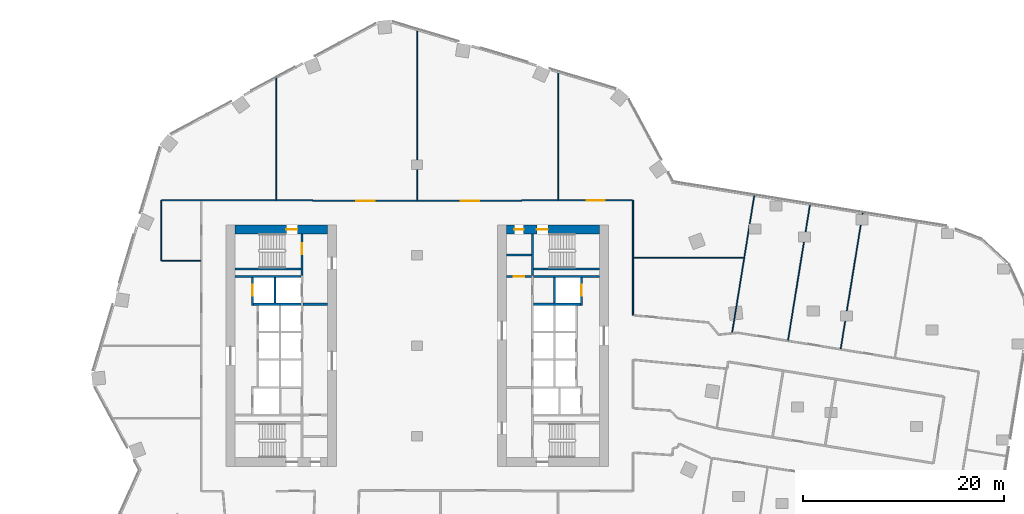
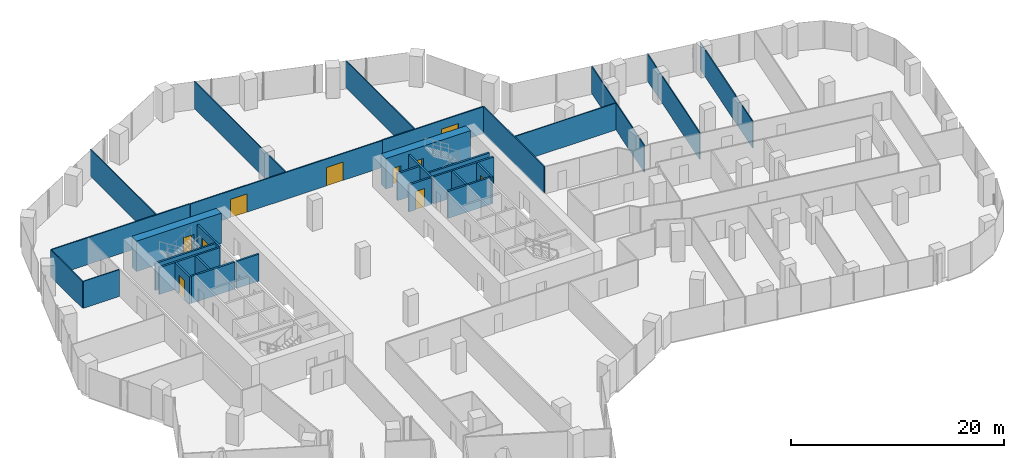
# One storey, part 29 of 34: 30 walls, 10 doors, 10 openings.
"""IFC4 building model written with IfcOpenShell, lengths in metres."""

from ifc_helpers import new_model, si_unit, direction, frame, frame_2d, origin, place, context, subcontext, project, spatial, rectangle, extrude, material, layer, layer_set, type_object, element, fill, save


model = new_model("IFC4")

# Units and contexts
model_context = context("Model", 3, precision=1e-05, world=origin(), true_north=direction((0.0, 1.0)))
body_context = subcontext(model_context, "Body", "Model", "MODEL_VIEW")
ifc_project = project(units=[si_unit("LENGTHUNIT", "METRE"), si_unit("AREAUNIT", "SQUARE_METRE"), si_unit("VOLUMEUNIT", "CUBIC_METRE"), si_unit("PLANEANGLEUNIT", "RADIAN"), si_unit("MASSUNIT", "GRAM", prefix="KILO")], contexts=[model_context])

# Site, building, storey
site_placement = place(None, origin())
site = spatial("IfcSite", under=ifc_project, at=site_placement, CompositionType="ELEMENT")
building_placement = place(site_placement, origin())
building = spatial("IfcBuilding", under=site, at=building_placement, Name="Orlundy Tower", CompositionType="ELEMENT")
storey_placement = place(building_placement, frame((0.0, 0.0, 130.699951171875)))
storey = spatial("IfcBuildingStorey", under=building, at=storey_placement, Name="L33", CompositionType="ELEMENT", Elevation=130.699951171875)

# Wall, opening, door
ifc_material_1 = material(Name="Concrete C80/95", Category="concrete")
ifc_layer_1 = layer(ifc_material_1, 0.89990234375)
ifc_layer_set_1 = layer_set([ifc_layer_1], Name="CORE WALL 900 C80/95")
wall_type_1 = type_object("IfcWallType", Name="CORE WALL 900 C80/95", PredefinedType="SHEAR", material=ifc_layer_set_1)
wall_1_placement = place(storey_placement, frame((-18.10009765625, 11.550048828125, 0.0), z_axis=(0.0, 0.0, 1.0), x_axis=(1.0, 0.0, 0.0)))
wall_1 = element("IfcWall", 1, at=wall_1_placement, inside=storey, type_object=wall_type_1, Name="Core wall W-N L33", PredefinedType="SHEAR", context=body_context, shape_type="SweptSolid", body=[
    extrude(rectangle(XDim=9.2001953125, YDim=0.89990234375, at=frame_2d((4.60009765625, 0.0))), origin(), (0.0, 0.0, 1.0), 3.5),
])
opening_1_placement = place(wall_1_placement, frame((5.10009765625, 0.0, 0.0)))
opening_1 = element("IfcOpeningElement", 2, at=opening_1_placement, cuts=wall_1, Name="Opening 25012", PredefinedType="OPENING", context=body_context, shape_type="SweptSolid", body=[
    extrude(rectangle(XDim=1.10009765625, YDim=2.10009765625, at=frame_2d((0.550048828125, 1.050048828125))), frame((0.0, 0.4599609375, 0.0), z_axis=(0.0, -1.0, 0.0), x_axis=(1.0, 0.0, 0.0)), (0.0, 0.0, 1.0), 0.919921875),
])
ifc_material_2 = material(Name="Steel door set", Category="steel")
door_type_1 = type_object("IfcDoorType", Name="Stair Door 1100x2100", OperationType="SINGLE_SWING_LEFT", PredefinedType="DOOR", material=ifc_material_2)
door_1_placement = place(opening_1_placement, origin())
door_1 = element("IfcDoor", 3, at=door_1_placement, inside=storey, type_object=door_type_1, Name="Stair door 25012", OperationType="SINGLE_SWING_RIGHT", OverallHeight=2.10009765625, OverallWidth=1.10009765625, PredefinedType="DOOR", context=body_context, shape_type="SweptSolid", body=[
    extrude(rectangle(XDim=1.10009765625, YDim=2.10009765625, at=frame_2d((0.550048828125, 1.050048828125))), frame((0.0, 0.02490234375, 0.0), z_axis=(0.0, -1.0, 0.0), x_axis=(1.0, 0.0, 0.0)), (0.0, 0.0, 1.0), 0.050048828125),
])
fill(opening_1, door_1)

# Wall, openings, doors
wall_2_placement = place(storey_placement, frame((8.89990234375, 11.550048828125, 0.0), z_axis=(0.0, 0.0, 1.0), x_axis=(1.0, 0.0, 0.0)))
wall_2 = element("IfcWall", 4, at=wall_2_placement, inside=storey, type_object=wall_type_1, Name="Core wall E-N L33", PredefinedType="SHEAR", context=body_context, shape_type="SweptSolid", body=[
    extrude(rectangle(XDim=9.2001953125, YDim=0.89990234375, at=frame_2d((4.60009765625, 0.0))), origin(), (0.0, 0.0, 1.0), 3.5),
])
opening_2_placement = place(wall_2_placement, frame((3.0, 0.0, 0.0)))
opening_2 = element("IfcOpeningElement", 5, at=opening_2_placement, cuts=wall_2, Name="Opening 25062", PredefinedType="OPENING", context=body_context, shape_type="SweptSolid", body=[
    extrude(rectangle(XDim=1.10009765625, YDim=2.10009765625, at=frame_2d((0.550048828125, 1.050048828125))), frame((0.0, 0.4599609375, 0.0), z_axis=(0.0, -1.0, 0.0), x_axis=(1.0, 0.0, 0.0)), (0.0, 0.0, 1.0), 0.919921875),
])
opening_3_placement = place(wall_2_placement, frame((0.77001953125, 0.0, 0.0)))
opening_3 = element("IfcOpeningElement", 6, at=opening_3_placement, cuts=wall_2, Name="Opening 25064", PredefinedType="OPENING", context=body_context, shape_type="SweptSolid", body=[
    extrude(rectangle(XDim=0.89990234375, YDim=2.10009765625, at=frame_2d((0.449951171875, 1.050048828125))), frame((0.0, 0.4599609375, 0.0), z_axis=(0.0, -1.0, 0.0), x_axis=(1.0, 0.0, 0.0)), (0.0, 0.0, 1.0), 0.919921875),
])
ifc_material_3 = material(Name="Timber door set", Category="wood")
door_type_2 = type_object("IfcDoorType", Name="Room Door 900x2100", OperationType="SINGLE_SWING_LEFT", PredefinedType="DOOR", material=ifc_material_3)
door_2_placement = place(opening_3_placement, origin())
door_2 = element("IfcDoor", 7, at=door_2_placement, inside=storey, type_object=door_type_2, Name="Store door 25064", OperationType="SINGLE_SWING_LEFT", OverallHeight=2.10009765625, OverallWidth=0.89990234375, PredefinedType="DOOR", context=body_context, shape_type="SweptSolid", body=[
    extrude(rectangle(XDim=0.89990234375, YDim=2.10009765625, at=frame_2d((0.449951171875, 1.050048828125))), frame((0.0, 0.02490234375, 0.0), z_axis=(0.0, -1.0, 0.0), x_axis=(1.0, 0.0, 0.0)), (0.0, 0.0, 1.0), 0.050048828125),
])
fill(opening_3, door_2)
door_3_placement = place(opening_2_placement, origin())
door_3 = element("IfcDoor", 8, at=door_3_placement, inside=storey, type_object=door_type_1, Name="Stair door 25062", OperationType="SINGLE_SWING_LEFT", OverallHeight=2.10009765625, OverallWidth=1.10009765625, PredefinedType="DOOR", context=body_context, shape_type="SweptSolid", body=[
    extrude(rectangle(XDim=1.10009765625, YDim=2.10009765625, at=frame_2d((0.550048828125, 1.050048828125))), frame((0.0, 0.02490234375, 0.0), z_axis=(0.0, -1.0, 0.0), x_axis=(1.0, 0.0, 0.0)), (0.0, 0.0, 1.0), 0.050048828125),
])
fill(opening_2, door_3)

# Walls
ifc_material_4 = material(Name="Gypsum board partition")
ifc_layer_2 = layer(ifc_material_4, 0.10009765625)
ifc_layer_set_2 = layer_set([ifc_layer_2], Name="Floor partition 100")
wall_type_2 = type_object("IfcWallType", Name="Floor partition 100", PredefinedType="PARTITIONING", material=ifc_layer_set_2)
wall_3_placement = place(storey_placement, frame((-25.39794921875, 8.448974609375, 0.0), z_axis=(0.0, 0.0, 1.0), x_axis=(1.0, 0.0, 0.0)))
element("IfcWall", 9, at=wall_3_placement, inside=storey, type_object=wall_type_2, Name="wall-int-L33-040", PredefinedType="PARTITIONING", context=body_context, shape_type="SweptSolid", body=[
    extrude(rectangle(XDim=3.885986328125, YDim=0.10009765625, at=frame_2d((1.94287109375, 0.0))), origin(), (0.0, 0.0, 1.0), 3.080078125),
])
wall_4_placement = place(storey_placement, frame((21.511962890625, 8.739990234375, 0.0), z_axis=(0.0, 0.0, 1.0), x_axis=(1.0, 0.0, 0.0)))
element("IfcWall", 10, at=wall_4_placement, inside=storey, type_object=wall_type_2, Name="wall-int-L33-041", PredefinedType="PARTITIONING", context=body_context, shape_type="SweptSolid", body=[
    extrude(rectangle(XDim=10.93896484375, YDim=0.10009765625, at=frame_2d((5.469482421875, 0.0))), origin(), (0.0, 0.0, 1.0), 3.080078125),
])
for number, where, z_axis, x_axis, name in (
    (11, (42.090087890625, -0.294921875, 0.0), (0.0, 0.0, 1.0), (0.159357818258, 0.987220890055, 0.0), "wall-int-L33-062"),
    (12, (36.85791015625, 0.549072265625, 0.0), (0.0, 0.0, 1.0), (0.159375015721, 0.987218113876, 0.0), "wall-int-L33-065"),
):
    element("IfcWall", number, at=place(storey_placement, frame(where, z_axis=z_axis, x_axis=x_axis)), inside=storey, type_object=wall_type_2, Name=name, PredefinedType="PARTITIONING", context=body_context, shape_type="SweptSolid", body=[
        extrude(rectangle(XDim=13.835693359375, YDim=0.10009765625, at=frame_2d((6.91796875, 0.0))), origin(), (0.0, 0.0, 1.0), 3.080078125),
    ])
wall_5_placement = place(storey_placement, frame((31.302001953125, 1.31396484375, 0.0), z_axis=(0.0, 0.0, 1.0), x_axis=(0.159328073175, 0.987225691065, 0.0)))
element("IfcWall", 13, at=wall_5_placement, inside=storey, type_object=wall_type_2, Name="wall-int-L33-068", PredefinedType="PARTITIONING", context=body_context, shape_type="SweptSolid", body=[
    extrude(rectangle(XDim=13.965576171875, YDim=0.10009765625, at=frame_2d((6.98291015625, 0.0))), origin(), (0.0, 0.0, 1.0), 3.080078125),
])
wall_6_placement = place(storey_placement, frame((14.0, 14.513916015625, 0.0), z_axis=(0.0, 0.0, 1.0), x_axis=(0.0, 1.0, 0.0)))
element("IfcWall", 14, at=wall_6_placement, inside=storey, type_object=wall_type_2, Name="wall-int-L33-081", PredefinedType="PARTITIONING", context=body_context, shape_type="SweptSolid", body=[
    extrude(rectangle(XDim=12.87109375, YDim=0.10009765625, at=frame_2d((6.435546875, 0.0))), origin(), (0.0, 0.0, 1.0), 3.080078125),
])
wall_7_placement = place(storey_placement, frame((0.0, 14.462890625, 0.0), z_axis=(0.0, 0.0, 1.0), x_axis=(0.0, 1.0, 0.0)))
element("IfcWall", 15, at=wall_7_placement, inside=storey, type_object=wall_type_2, Name="wall-int-L33-083", PredefinedType="PARTITIONING", context=body_context, shape_type="SweptSolid", body=[
    extrude(rectangle(XDim=17.114013671875, YDim=0.10009765625, at=frame_2d((8.55712890625, 0.0))), origin(), (0.0, 0.0, 1.0), 3.080078125),
])
wall_8_placement = place(storey_placement, frame((-14.0, 14.513916015625, 0.0), z_axis=(0.0, 0.0, 1.0), x_axis=(0.0, 1.0, 0.0)))
element("IfcWall", 16, at=wall_8_placement, inside=storey, type_object=wall_type_2, Name="wall-int-L33-084", PredefinedType="PARTITIONING", context=body_context, shape_type="SweptSolid", body=[
    extrude(rectangle(XDim=12.30419921875, YDim=0.10009765625, at=frame_2d((6.152099609375, 0.0))), origin(), (0.0, 0.0, 1.0), 3.080078125),
])
wall_9_placement = place(storey_placement, frame((-25.447998046875, 8.448974609375, 0.0), z_axis=(0.0, 0.0, 1.0), x_axis=(0.0, 1.0, 0.0)))
element("IfcWall", 17, at=wall_9_placement, inside=storey, type_object=wall_type_2, Name="wall-int-L33-086", PredefinedType="PARTITIONING", context=body_context, shape_type="SweptSolid", body=[
    extrude(rectangle(XDim=6.0009765625, YDim=0.10009765625, at=frame_2d((3.00048828125, 0.0))), origin(), (0.0, 0.0, 1.0), 3.080078125),
])

# Wall, openings, doors
ifc_material_5 = material(Name="Gypsum board partition, double layer")
ifc_layer_3 = layer(ifc_material_5, 0.125)
ifc_layer_set_3 = layer_set([ifc_layer_3], Name="Floor partition 125")
wall_type_3 = type_object("IfcWallType", Name="Floor partition 125", PredefinedType="PARTITIONING", material=ifc_layer_set_3)
wall_10_placement = place(storey_placement, frame((-10.389892578125, 14.40087890625, 0.0), z_axis=(0.0, 0.0, 1.0), x_axis=(1.0, 0.0, 0.0)))
wall_10 = element("IfcWall", 18, at=wall_10_placement, inside=storey, type_object=wall_type_3, Name="wall-int-L33-042", PredefinedType="PARTITIONING", context=body_context, shape_type="SweptSolid", body=[
    extrude(rectangle(XDim=20.781005859375, YDim=0.125, at=frame_2d((10.390625, 0.0))), origin(), (0.0, 0.0, 1.0), 3.080078125),
])
opening_4_placement = place(wall_10_placement, frame((14.739990234375, 0.0, 0.0)))
opening_4 = element("IfcOpeningElement", 19, at=opening_4_placement, cuts=wall_10, Name="Opening 25129", PredefinedType="OPENING", context=body_context, shape_type="SweptSolid", body=[
    extrude(rectangle(XDim=1.800048828125, YDim=2.10009765625, at=frame_2d((0.89990234375, 1.050048828125))), frame((0.0, 0.072509765625, 0.0), z_axis=(0.0, -1.0, 0.0), x_axis=(1.0, 0.0, 0.0)), (0.0, 0.0, 1.0), 0.14501953125),
])
opening_5_placement = place(wall_10_placement, frame((4.35009765625, 0.0, 0.0)))
opening_5 = element("IfcOpeningElement", 20, at=opening_5_placement, cuts=wall_10, Name="Opening 25130", PredefinedType="OPENING", context=body_context, shape_type="SweptSolid", body=[
    extrude(rectangle(XDim=1.800048828125, YDim=2.10009765625, at=frame_2d((0.89990234375, 1.050048828125))), frame((0.0, 0.072509765625, 0.0), z_axis=(0.0, -1.0, 0.0), x_axis=(1.0, 0.0, 0.0)), (0.0, 0.0, 1.0), 0.14501953125),
])
ifc_material_6 = material(Name="Timber door leaf", Category="wood")
door_type_3 = type_object("IfcDoorType", Name="Floor door double 1800 FD30S", OperationType="NOTDEFINED", PredefinedType="DOOR", material=ifc_material_6)
door_4_placement = place(opening_4_placement, origin())
door_4 = element("IfcDoor", 21, at=door_4_placement, inside=storey, type_object=door_type_3, Name="Door 25129", OperationType="DOUBLE_DOOR_SINGLE_SWING", OverallHeight=2.10009765625, OverallWidth=1.800048828125, PredefinedType="DOOR", context=body_context, shape_type="SweptSolid", body=[
    extrude(rectangle(XDim=1.800048828125, YDim=2.10009765625, at=frame_2d((0.89990234375, 1.050048828125))), frame((0.0, 0.02490234375, 0.0), z_axis=(0.0, -1.0, 0.0), x_axis=(1.0, 0.0, 0.0)), (0.0, 0.0, 1.0), 0.050048828125),
])
fill(opening_4, door_4)
door_5_placement = place(opening_5_placement, origin())
door_5 = element("IfcDoor", 22, at=door_5_placement, inside=storey, type_object=door_type_3, Name="Door 25130", OperationType="DOUBLE_DOOR_SINGLE_SWING", OverallHeight=2.10009765625, OverallWidth=1.800048828125, PredefinedType="DOOR", context=body_context, shape_type="SweptSolid", body=[
    extrude(rectangle(XDim=1.800048828125, YDim=2.10009765625, at=frame_2d((0.89990234375, 1.050048828125))), frame((0.0, 0.02490234375, 0.0), z_axis=(0.0, -1.0, 0.0), x_axis=(1.0, 0.0, 0.0)), (0.0, 0.0, 1.0), 0.050048828125),
])
fill(opening_5, door_5)

# Wall
wall_11_placement = place(storey_placement, frame((-25.39794921875, 14.449951171875, 0.0), z_axis=(0.0, 0.0, 1.0), x_axis=(1.0, 0.0, 0.0)))
element("IfcWall", 23, at=wall_11_placement, inside=storey, type_object=wall_type_3, Name="wall-int-L33-043", PredefinedType="PARTITIONING", context=body_context, shape_type="SweptSolid", body=[
    extrude(rectangle(XDim=15.0068359375, YDim=0.125, at=frame_2d((7.50341796875, 0.0))), origin(), (0.0, 0.0, 1.0), 3.080078125),
])

# Wall, opening, door
wall_12_placement = place(storey_placement, frame((10.39111328125, 14.450927734375, 0.0), z_axis=(0.0, 0.0, 1.0), x_axis=(1.0, 0.0, 0.0)))
wall_12 = element("IfcWall", 24, at=wall_12_placement, inside=storey, type_object=wall_type_3, Name="wall-int-L33-044", PredefinedType="PARTITIONING", context=body_context, shape_type="SweptSolid", body=[
    extrude(rectangle(XDim=10.995849609375, YDim=0.125, at=frame_2d((5.498046875, 0.0))), origin(), (0.0, 0.0, 1.0), 3.080078125),
])
opening_6_placement = place(wall_12_placement, frame((6.458984375, 0.0, 0.0)))
opening_6 = element("IfcOpeningElement", 25, at=opening_6_placement, cuts=wall_12, Name="Opening 25128", PredefinedType="OPENING", context=body_context, shape_type="SweptSolid", body=[
    extrude(rectangle(XDim=1.800048828125, YDim=2.10009765625, at=frame_2d((0.89990234375, 1.050048828125))), frame((0.0, 0.072509765625, 0.0), z_axis=(0.0, -1.0, 0.0), x_axis=(1.0, 0.0, 0.0)), (0.0, 0.0, 1.0), 0.14501953125),
])
door_6_placement = place(opening_6_placement, origin())
door_6 = element("IfcDoor", 26, at=door_6_placement, inside=storey, type_object=door_type_3, Name="Door 25128", OperationType="DOUBLE_DOOR_SINGLE_SWING", OverallHeight=2.10009765625, OverallWidth=1.800048828125, PredefinedType="DOOR", context=body_context, shape_type="SweptSolid", body=[
    extrude(rectangle(XDim=1.800048828125, YDim=2.10009765625, at=frame_2d((0.89990234375, 1.050048828125))), frame((0.0, 0.02490234375, 0.0), z_axis=(0.0, -1.0, 0.0), x_axis=(1.0, 0.0, 0.0)), (0.0, 0.0, 1.0), 0.050048828125),
])
fill(opening_6, door_6)

# Wall
wall_13_placement = place(storey_placement, frame((21.449951171875, 3.031005859375, 0.0), z_axis=(0.0, 0.0, 1.0), x_axis=(0.0, 1.0, 0.0)))
element("IfcWall", 27, at=wall_13_placement, inside=storey, type_object=wall_type_3, Name="wall-int-L33-079", PredefinedType="PARTITIONING", context=body_context, shape_type="SweptSolid", body=[
    extrude(rectangle(XDim=11.419921875, YDim=0.125, at=frame_2d((5.7099609375, 0.0))), origin(), (0.0, 0.0, 1.0), 3.080078125),
])

# Wall, opening, door
ifc_material_7 = material(Name="Concrete C40/50", Category="concrete")
ifc_layer_4 = layer(ifc_material_7, 0.199951171875)
ifc_layer_set_4 = layer_set([ifc_layer_4], Name="Load-bearing Shaft Wall 200")
wall_type_4 = type_object("IfcWallType", Name="Load-bearing Shaft Wall 200", PredefinedType="SOLIDWALL", material=ifc_layer_set_4)
wall_14_placement = place(storey_placement, frame((-11.43994140625, 6.97509765625, 0.0), z_axis=(0.0, 0.0, 1.0), x_axis=(0.0, 1.0, 0.0)))
wall_14 = element("IfcWall", 28, at=wall_14_placement, inside=storey, type_object=wall_type_4, Name="Shaft wall W25-stair-end-n", PredefinedType="SOLIDWALL", context=body_context, shape_type="SweptSolid", body=[
    extrude(rectangle(XDim=4.125, YDim=0.199951171875, at=frame_2d((2.0625, 0.0))), origin(), (0.0, 0.0, 1.0), 3.090087890625),
])
opening_7_placement = place(wall_14_placement, frame((2.10009765625, 0.0, 0.0)))
opening_7 = element("IfcOpeningElement", 29, at=opening_7_placement, cuts=wall_14, Name="Opening 25014", PredefinedType="OPENING", context=body_context, shape_type="SweptSolid", body=[
    extrude(rectangle(XDim=1.10009765625, YDim=2.10009765625, at=frame_2d((0.550048828125, 1.050048828125))), frame((0.0, 0.110107421875, 0.0), z_axis=(0.0, -1.0, 0.0), x_axis=(1.0, 0.0, 0.0)), (0.0, 0.0, 1.0), 0.22021484375),
])
ifc_material_8 = material(Name="Steel door set", Category="steel")
door_type_4 = type_object("IfcDoorType", Name="Fire-fighting Lobby Door 1100x2100", OperationType="SINGLE_SWING_LEFT", PredefinedType="DOOR", material=ifc_material_8)
door_7_placement = place(opening_7_placement, origin())
door_7 = element("IfcDoor", 30, at=door_7_placement, inside=storey, type_object=door_type_4, Name="Fire-fighting lobby to stair door 25014", OperationType="SINGLE_SWING_RIGHT", OverallHeight=2.10009765625, OverallWidth=1.10009765625, PredefinedType="DOOR", context=body_context, shape_type="SweptSolid", body=[
    extrude(rectangle(XDim=1.10009765625, YDim=2.10009765625, at=frame_2d((0.550048828125, 1.050048828125))), frame((0.0, 0.02490234375, 0.0), z_axis=(0.0, -1.0, 0.0), x_axis=(1.0, 0.0, 0.0)), (0.0, 0.0, 1.0), 0.050048828125),
])
fill(opening_7, door_7)

# Walls
wall_15_placement = place(storey_placement, frame((-11.5400390625, 7.64990234375, 0.0), z_axis=(0.0, 0.0, 1.0), x_axis=(-1.0, 0.0, 0.0)))
element("IfcWall", 31, at=wall_15_placement, inside=storey, type_object=wall_type_4, Name="Shaft wall W25-stair-side-n", PredefinedType="SOLIDWALL", context=body_context, shape_type="SweptSolid", body=[
    extrude(rectangle(XDim=6.56005859375, YDim=0.199951171875, at=frame_2d((3.280029296875, 0.0))), origin(), (0.0, 0.0, 1.0), 3.090087890625),
])
wall_16_placement = place(storey_placement, frame((11.43994140625, 11.10009765625, 0.0), z_axis=(0.0, 0.0, 1.0), x_axis=(0.0, -1.0, 0.0)))
element("IfcWall", 32, at=wall_16_placement, inside=storey, type_object=wall_type_4, Name="Shaft wall E25-stair-end-s", PredefinedType="SOLIDWALL", context=body_context, shape_type="SweptSolid", body=[
    extrude(rectangle(XDim=4.125, YDim=0.199951171875, at=frame_2d((2.0625, 0.0))), origin(), (0.0, 0.0, 1.0), 3.090087890625),
])
wall_17_placement = place(storey_placement, frame((11.5400390625, 7.64990234375, 0.0), z_axis=(0.0, 0.0, 1.0), x_axis=(1.0, 0.0, 0.0)))
element("IfcWall", 33, at=wall_17_placement, inside=storey, type_object=wall_type_4, Name="Shaft wall E25-stair-side-s", PredefinedType="SOLIDWALL", context=body_context, shape_type="SweptSolid", body=[
    extrude(rectangle(XDim=6.56005859375, YDim=0.199951171875, at=frame_2d((3.280029296875, 0.0))), origin(), (0.0, 0.0, 1.0), 3.090087890625),
])
ifc_material_9 = material(Name="Gypsum board partition on steel studs", Category="steel")
ifc_layer_5 = layer(ifc_material_9, 0.199951171875)
ifc_layer_set_5 = layer_set([ifc_layer_5], Name="Partition 200")
wall_type_5 = type_object("IfcWallType", Name="Partition 200", PredefinedType="PARTITIONING", material=ifc_layer_set_5)
wall_18_placement = place(storey_placement, frame((-8.89990234375, 4.125, 0.0), z_axis=(0.0, 0.0, 1.0), x_axis=(-1.0, 0.0, 0.0)))
element("IfcWall", 34, at=wall_18_placement, inside=storey, type_object=wall_type_5, Name="Partition wall W25-lobby-n", PredefinedType="PARTITIONING", context=body_context, shape_type="SweptSolid", body=[
    extrude(rectangle(XDim=2.440185546875, YDim=0.199951171875, at=frame_2d((1.22021484375, 0.0))), origin(), (0.0, 0.0, 1.0), 3.090087890625),
])

# Wall, opening, door
wall_19_placement = place(storey_placement, frame((8.89990234375, 6.875, 0.0), z_axis=(0.0, 0.0, 1.0), x_axis=(1.0, 0.0, 0.0)))
wall_19 = element("IfcWall", 35, at=wall_19_placement, inside=storey, type_object=wall_type_5, Name="Partition wall E25-end-s", PredefinedType="PARTITIONING", context=body_context, shape_type="SweptSolid", body=[
    extrude(rectangle(XDim=2.440185546875, YDim=0.199951171875, at=frame_2d((1.22021484375, 0.0))), origin(), (0.0, 0.0, 1.0), 3.090087890625),
])
opening_8_placement = place(wall_19_placement, frame((0.719970703125, 0.0, 0.0)))
opening_8 = element("IfcOpeningElement", 36, at=opening_8_placement, cuts=wall_19, Name="Opening 25065", PredefinedType="OPENING", context=body_context, shape_type="SweptSolid", body=[
    extrude(rectangle(XDim=1.0, YDim=2.10009765625, at=frame_2d((0.5, 1.050048828125))), frame((0.0, 0.110107421875, 0.0), z_axis=(0.0, -1.0, 0.0), x_axis=(1.0, 0.0, 0.0)), (0.0, 0.0, 1.0), 0.22021484375),
])
ifc_material_10 = material(Name="Timber door set", Category="wood")
door_type_5 = type_object("IfcDoorType", Name="Accessible Door 1000x2100", OperationType="SINGLE_SWING_LEFT", PredefinedType="DOOR", material=ifc_material_10)
door_8_placement = place(opening_8_placement, origin())
door_8 = element("IfcDoor", 37, at=door_8_placement, inside=storey, type_object=door_type_5, Name="Accessible WC door 25065", OperationType="SINGLE_SWING_RIGHT", OverallHeight=2.10009765625, OverallWidth=1.0, PredefinedType="DOOR", context=body_context, shape_type="SweptSolid", body=[
    extrude(rectangle(XDim=1.0, YDim=2.10009765625, at=frame_2d((0.5, 1.050048828125))), frame((0.0, 0.02490234375, 0.0), z_axis=(0.0, -1.0, 0.0), x_axis=(1.0, 0.0, 0.0)), (0.0, 0.0, 1.0), 0.050048828125),
])
fill(opening_8, door_8)

# Walls
wall_20_placement = place(storey_placement, frame((8.89990234375, 9.0, 0.0), z_axis=(0.0, 0.0, 1.0), x_axis=(1.0, 0.0, 0.0)))
element("IfcWall", 38, at=wall_20_placement, inside=storey, type_object=wall_type_5, Name="Partition wall E25-room-s0", PredefinedType="PARTITIONING", context=body_context, shape_type="SweptSolid", body=[
    extrude(rectangle(XDim=2.440185546875, YDim=0.199951171875, at=frame_2d((1.22021484375, 0.0))), origin(), (0.0, 0.0, 1.0), 3.090087890625),
])
ifc_material_11 = material(Name="Fire-rated blockwork shaft wall", Category="masonry")
ifc_layer_6 = layer(ifc_material_11, 0.199951171875)
ifc_layer_set_6 = layer_set([ifc_layer_6], Name="Shaft Wall 200")
wall_type_6 = type_object("IfcWallType", Name="Shaft Wall 200", PredefinedType="SOLIDWALL", material=ifc_layer_set_6)
wall_21_placement = place(storey_placement, frame((-11.5400390625, 6.875, 0.0), z_axis=(0.0, 0.0, 1.0), x_axis=(-1.0, 0.0, 0.0)))
element("IfcWall", 39, at=wall_21_placement, inside=storey, type_object=wall_type_6, Name="Shaft wall W25-zone-n", PredefinedType="SOLIDWALL", context=body_context, shape_type="SweptSolid", body=[
    extrude(rectangle(XDim=6.56005859375, YDim=0.199951171875, at=frame_2d((3.280029296875, 0.0))), origin(), (0.0, 0.0, 1.0), 3.090087890625),
])
wall_22_placement = place(storey_placement, frame((-11.5400390625, 4.125, 0.0), z_axis=(0.0, 0.0, 1.0), x_axis=(-1.0, 0.0, 0.0)))
element("IfcWall", 40, at=wall_22_placement, inside=storey, type_object=wall_type_6, Name="Shaft wall W25-cross+4.125", PredefinedType="SOLIDWALL", context=body_context, shape_type="SweptSolid", body=[
    extrude(rectangle(XDim=4.699951171875, YDim=0.199951171875, at=frame_2d((2.35009765625, 0.0))), origin(), (0.0, 0.0, 1.0), 3.090087890625),
])
wall_23_placement = place(storey_placement, frame((-14.139892578125, 4.22509765625, 0.0), z_axis=(0.0, 0.0, 1.0), x_axis=(0.0, 1.0, 0.0)))
element("IfcWall", 41, at=wall_23_placement, inside=storey, type_object=wall_type_6, Name="Shaft wall W25-mid-b", PredefinedType="SOLIDWALL", context=body_context, shape_type="SweptSolid", body=[
    extrude(rectangle(XDim=2.5498046875, YDim=0.199951171875, at=frame_2d((1.27490234375, 0.0))), origin(), (0.0, 0.0, 1.0), 3.090087890625),
])

# Wall, opening, door
wall_24_placement = place(storey_placement, frame((-16.340087890625, 4.02490234375, 0.0), z_axis=(0.0, 0.0, 1.0), x_axis=(0.0, 1.0, 0.0)))
wall_24 = element("IfcWall", 42, at=wall_24_placement, inside=storey, type_object=wall_type_6, Name="Shaft wall W25-front-o-c", PredefinedType="SOLIDWALL", context=body_context, shape_type="SweptSolid", body=[
    extrude(rectangle(XDim=2.75, YDim=0.199951171875, at=frame_2d((1.375, 0.0))), origin(), (0.0, 0.0, 1.0), 3.090087890625),
])
opening_9_placement = place(wall_24_placement, frame((0.925048828125, 0.0, 0.0)))
opening_9 = element("IfcOpeningElement", 43, at=opening_9_placement, cuts=wall_24, Name="Opening 25007", PredefinedType="OPENING", context=body_context, shape_type="SweptSolid", body=[
    extrude(rectangle(XDim=1.10009765625, YDim=2.10009765625, at=frame_2d((0.550048828125, 1.050048828125))), frame((0.0, 0.110107421875, 0.0), z_axis=(0.0, -1.0, 0.0), x_axis=(1.0, 0.0, 0.0)), (0.0, 0.0, 1.0), 0.22021484375),
])
ifc_material_12 = material(Name="Steel door set", Category="steel")
door_type_6 = type_object("IfcDoorType", Name="Landing Door 1100x2100", OperationType="DOUBLE_DOOR_SLIDING", PredefinedType="DOOR", material=ifc_material_12)
door_9_placement = place(opening_9_placement, origin())
door_9 = element("IfcDoor", 44, at=door_9_placement, inside=storey, type_object=door_type_6, Name="Lift landing door LP-04 25007", OperationType="DOUBLE_DOOR_SLIDING", OverallHeight=2.10009765625, OverallWidth=1.10009765625, PredefinedType="DOOR", context=body_context, shape_type="SweptSolid", body=[
    extrude(rectangle(XDim=1.10009765625, YDim=2.10009765625, at=frame_2d((0.550048828125, 1.050048828125))), frame((0.0, 0.02490234375, 0.0), z_axis=(0.0, -1.0, 0.0), x_axis=(1.0, 0.0, 0.0)), (0.0, 0.0, 1.0), 0.050048828125),
])
fill(opening_9, door_9)

# Walls
wall_25_placement = place(storey_placement, frame((11.5400390625, 6.875, 0.0), z_axis=(0.0, 0.0, 1.0), x_axis=(1.0, 0.0, 0.0)))
element("IfcWall", 45, at=wall_25_placement, inside=storey, type_object=wall_type_6, Name="Shaft wall E25-zone-s", PredefinedType="SOLIDWALL", context=body_context, shape_type="SweptSolid", body=[
    extrude(rectangle(XDim=6.56005859375, YDim=0.199951171875, at=frame_2d((3.280029296875, 0.0))), origin(), (0.0, 0.0, 1.0), 3.090087890625),
])
wall_26_placement = place(storey_placement, frame((11.5400390625, 4.125, 0.0), z_axis=(0.0, 0.0, 1.0), x_axis=(1.0, 0.0, 0.0)))
element("IfcWall", 46, at=wall_26_placement, inside=storey, type_object=wall_type_6, Name="Shaft wall E25-cross-4.125", PredefinedType="SOLIDWALL", context=body_context, shape_type="SweptSolid", body=[
    extrude(rectangle(XDim=4.699951171875, YDim=0.199951171875, at=frame_2d((2.35009765625, 0.0))), origin(), (0.0, 0.0, 1.0), 3.090087890625),
])
wall_27_placement = place(storey_placement, frame((13.639892578125, 6.77490234375, 0.0), z_axis=(0.0, 0.0, 1.0), x_axis=(0.0, -1.0, 0.0)))
element("IfcWall", 47, at=wall_27_placement, inside=storey, type_object=wall_type_6, Name="Shaft wall E25-mid-a", PredefinedType="SOLIDWALL", context=body_context, shape_type="SweptSolid", body=[
    extrude(rectangle(XDim=2.5498046875, YDim=0.199951171875, at=frame_2d((1.27490234375, 0.0))), origin(), (0.0, 0.0, 1.0), 3.090087890625),
])

# Wall, opening, door
wall_28_placement = place(storey_placement, frame((16.340087890625, 6.77490234375, 0.0), z_axis=(0.0, 0.0, 1.0), x_axis=(0.0, -1.0, 0.0)))
wall_28 = element("IfcWall", 48, at=wall_28_placement, inside=storey, type_object=wall_type_6, Name="Shaft wall E25-front-o-a", PredefinedType="SOLIDWALL", context=body_context, shape_type="SweptSolid", body=[
    extrude(rectangle(XDim=2.75, YDim=0.199951171875, at=frame_2d((1.375, 0.0))), origin(), (0.0, 0.0, 1.0), 3.090087890625),
])
opening_10_placement = place(wall_28_placement, frame((0.72509765625, 0.0, 0.0)))
opening_10 = element("IfcOpeningElement", 49, at=opening_10_placement, cuts=wall_28, Name="Opening 25050", PredefinedType="OPENING", context=body_context, shape_type="SweptSolid", body=[
    extrude(rectangle(XDim=1.10009765625, YDim=2.10009765625, at=frame_2d((0.550048828125, 1.050048828125))), frame((0.0, 0.110107421875, 0.0), z_axis=(0.0, -1.0, 0.0), x_axis=(1.0, 0.0, 0.0)), (0.0, 0.0, 1.0), 0.22021484375),
])
door_10_placement = place(opening_10_placement, origin())
door_10 = element("IfcDoor", 50, at=door_10_placement, inside=storey, type_object=door_type_6, Name="Lift landing door LV-02 25050", OperationType="DOUBLE_DOOR_SLIDING", OverallHeight=2.10009765625, OverallWidth=1.10009765625, PredefinedType="DOOR", context=body_context, shape_type="SweptSolid", body=[
    extrude(rectangle(XDim=1.10009765625, YDim=2.10009765625, at=frame_2d((0.550048828125, 1.050048828125))), frame((0.0, 0.02490234375, 0.0), z_axis=(0.0, -1.0, 0.0), x_axis=(1.0, 0.0, 0.0)), (0.0, 0.0, 1.0), 0.050048828125),
])
fill(opening_10, door_10)

save(model, "model.ifc")
